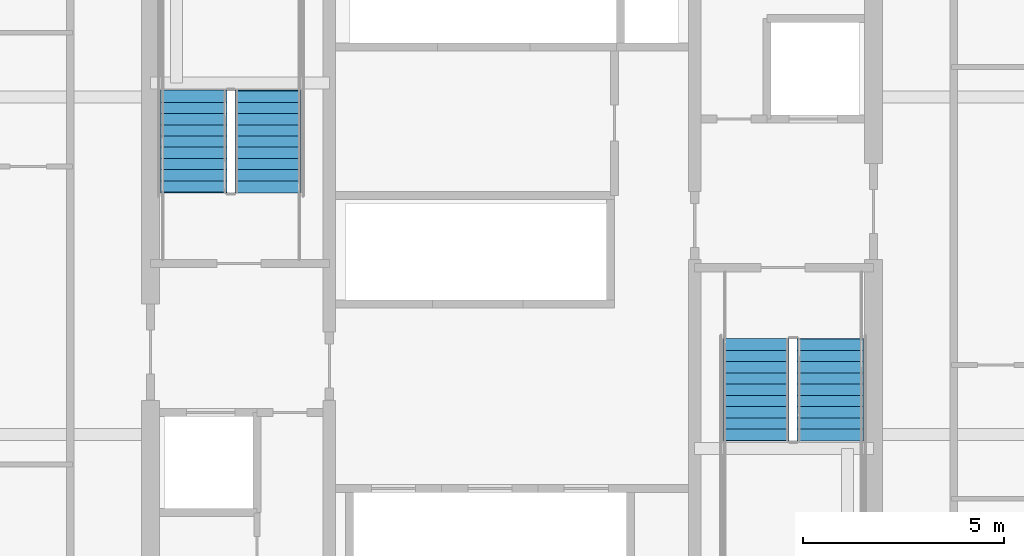
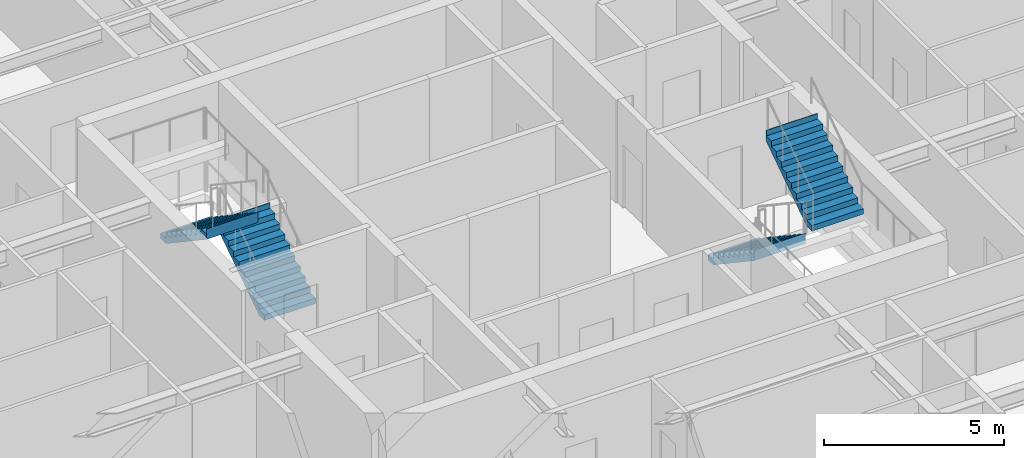
# One storey, part 32 of 38: 4 stair flights, 2 elements without a shape of their own.
"""IFC4 building model written with IfcOpenShell, lengths in metres."""

from ifc_helpers import new_model, si_unit, direction, frame, origin, place, context, subcontext, project, spatial, polygons, material, type_object, element, aggregate, save


model = new_model("IFC4")

# Units and contexts
model_context = context("Model", 3, precision=1e-05, world=origin(), true_north=direction((0.0, 1.0)))
body_context = subcontext(model_context, "Body", "Model", "MODEL_VIEW")
ifc_project = project(units=[si_unit("LENGTHUNIT", "METRE"), si_unit("AREAUNIT", "SQUARE_METRE"), si_unit("VOLUMEUNIT", "CUBIC_METRE"), si_unit("PLANEANGLEUNIT", "RADIAN"), si_unit("MASSUNIT", "GRAM", prefix="KILO")], contexts=[model_context])

# Site, building, storey
site_placement = place(None, origin())
site = spatial("IfcSite", under=ifc_project, at=site_placement, CompositionType="ELEMENT")
building_placement = place(site_placement, origin())
building = spatial("IfcBuilding", under=site, at=building_placement, Name="Serunith Strait Residences", CompositionType="ELEMENT")
storey_placement = place(building_placement, frame((0.0, 0.0, 30.449951171875)))
storey = spatial("IfcBuildingStorey", under=building, at=storey_placement, Name="L06", CompositionType="ELEMENT", Elevation=30.449951171875)

# Stair, stair flights
ifc_material = material(Name="Concrete C50/60", Category="concrete")
stair_type_1 = type_object("IfcStairType", Name="STR-CORE-1", PredefinedType="HALF_TURN_STAIR", material=ifc_material)
stair_1_placement = place(storey_placement, origin())
stair_1 = element("IfcStair", 1, at=stair_1_placement, inside=storey, type_object=stair_type_1, Name="L06 Protected Escape Stair ST-1", PredefinedType="HALF_TURN_STAIR")
stair_flight_type_1 = type_object("IfcStairFlightType", Name="FLT-CORE-1", PredefinedType="STRAIGHT", material=ifc_material)
stair_flight_1_placement = place(storey_placement, frame((26.324951171875, 27.030029296875, 0.0), z_axis=(0.0, 0.0, 1.0), x_axis=(0.0, 1.0, 0.0)))
stair_flight_1 = element("IfcStairFlight", 2, at=stair_flight_1_placement, type_object=stair_flight_type_1, Name="ST-1 flight 1", NumberOfRisers=10, NumberOfTreads=9, PredefinedType="STRAIGHT", RiserHeight=0.1875, TreadLength=0.28, context=body_context, shape_type="Tessellation", body=[
    polygons([(-0.02001953125, -0.824951171875, 0.0), (-0.02001953125, -0.824951171875, 0.1875), (0.280029296875, -0.824951171875, 0.1875), (0.280029296875, -0.824951171875, 0.375), (0.56005859375, -0.824951171875, 0.375), (0.56005859375, -0.824951171875, 0.5625), (0.840087890625, -0.824951171875, 0.5625), (0.840087890625, -0.824951171875, 0.75), (1.1201171875, -0.824951171875, 0.75), (1.1201171875, -0.824951171875, 0.9375), (1.39990234375, -0.824951171875, 0.9375), (1.39990234375, -0.824951171875, 1.125), (1.679931640625, -0.824951171875, 1.125), (1.679931640625, -0.824951171875, 1.3125), (1.9599609375, -0.824951171875, 1.3125), (1.9599609375, -0.824951171875, 1.5), (2.239990234375, -0.824951171875, 1.5), (2.239990234375, -0.824951171875, 1.6875), (2.52001953125, -0.824951171875, 1.6875), (2.52001953125, -0.824951171875, 1.875), (2.5400390625, -0.824951171875, 1.875), (2.5400390625, -0.824951171875, 1.81494140625), (2.52001953125, -0.824951171875, 1.507080078125), (0.26953125, -0.824951171875, 0.0), (-0.02001953125, -0.41259765625, 0.0), (-0.02001953125, -0.41259765625, 0.1875), (0.280029296875, -0.41259765625, 0.1875), (0.280029296875, -0.41259765625, 0.375), (0.56005859375, -0.41259765625, 0.375), (0.56005859375, -0.41259765625, 0.5625), (0.840087890625, -0.41259765625, 0.5625), (0.840087890625, -0.41259765625, 0.75), (1.1201171875, -0.41259765625, 0.75), (1.1201171875, -0.41259765625, 0.9375), (1.39990234375, -0.41259765625, 0.9375), (1.39990234375, -0.41259765625, 1.125), (1.679931640625, -0.41259765625, 1.125), (1.679931640625, -0.41259765625, 1.3125), (1.9599609375, -0.41259765625, 1.3125), (1.9599609375, -0.41259765625, 1.5), (2.239990234375, -0.41259765625, 1.5), (2.239990234375, -0.41259765625, 1.6875), (2.52001953125, -0.41259765625, 1.6875), (2.52001953125, -0.41259765625, 1.875), (2.5400390625, -0.41259765625, 1.875), (2.5400390625, -0.41259765625, 1.81494140625), (2.52001953125, -0.41259765625, 1.507080078125), (0.26953125, -0.41259765625, 0.0), (-0.02001953125, 0.0, 0.0), (-0.02001953125, 0.0, 0.1875), (0.280029296875, 0.0, 0.1875), (0.280029296875, 0.0, 0.375), (0.56005859375, 0.0, 0.375), (0.56005859375, 0.0, 0.5625), (0.840087890625, 0.0, 0.5625), (0.840087890625, 0.0, 0.75), (1.1201171875, 0.0, 0.75), (1.1201171875, 0.0, 0.9375), (1.39990234375, 0.0, 0.9375), (1.39990234375, 0.0, 1.125), (1.679931640625, 0.0, 1.125), (1.679931640625, 0.0, 1.3125), (1.9599609375, 0.0, 1.3125), (1.9599609375, 0.0, 1.5), (2.239990234375, 0.0, 1.5), (2.239990234375, 0.0, 1.6875), (2.52001953125, 0.0, 1.6875), (2.52001953125, 0.0, 1.875), (2.5400390625, 0.0, 1.875), (2.5400390625, 0.0, 1.81494140625), (2.52001953125, 0.0, 1.507080078125), (0.26953125, 0.0, 0.0), (-0.02001953125, 0.41259765625, 0.0), (-0.02001953125, 0.41259765625, 0.1875), (0.280029296875, 0.41259765625, 0.1875), (0.280029296875, 0.41259765625, 0.375), (0.56005859375, 0.41259765625, 0.375), (0.56005859375, 0.41259765625, 0.5625), (0.840087890625, 0.41259765625, 0.5625), (0.840087890625, 0.41259765625, 0.75), (1.1201171875, 0.41259765625, 0.75), (1.1201171875, 0.41259765625, 0.9375), (1.39990234375, 0.41259765625, 0.9375), (1.39990234375, 0.41259765625, 1.125), (1.679931640625, 0.41259765625, 1.125), (1.679931640625, 0.41259765625, 1.3125), (1.9599609375, 0.41259765625, 1.3125), (1.9599609375, 0.41259765625, 1.5), (2.239990234375, 0.41259765625, 1.5), (2.239990234375, 0.41259765625, 1.6875), (2.52001953125, 0.41259765625, 1.6875), (2.52001953125, 0.41259765625, 1.875), (2.5400390625, 0.41259765625, 1.875), (2.5400390625, 0.41259765625, 1.81494140625), (2.52001953125, 0.41259765625, 1.507080078125), (0.26953125, 0.41259765625, 0.0), (-0.02001953125, 0.824951171875, 0.0), (-0.02001953125, 0.824951171875, 0.1875), (0.280029296875, 0.824951171875, 0.1875), (0.280029296875, 0.824951171875, 0.375), (0.56005859375, 0.824951171875, 0.375), (0.56005859375, 0.824951171875, 0.5625), (0.840087890625, 0.824951171875, 0.5625), (0.840087890625, 0.824951171875, 0.75), (1.1201171875, 0.824951171875, 0.75), (1.1201171875, 0.824951171875, 0.9375), (1.39990234375, 0.824951171875, 0.9375), (1.39990234375, 0.824951171875, 1.125), (1.679931640625, 0.824951171875, 1.125), (1.679931640625, 0.824951171875, 1.3125), (1.9599609375, 0.824951171875, 1.3125), (1.9599609375, 0.824951171875, 1.5), (2.239990234375, 0.824951171875, 1.5), (2.239990234375, 0.824951171875, 1.6875), (2.52001953125, 0.824951171875, 1.6875), (2.52001953125, 0.824951171875, 1.875), (2.5400390625, 0.824951171875, 1.875), (2.5400390625, 0.824951171875, 1.81494140625), (2.52001953125, 0.824951171875, 1.507080078125), (0.26953125, 0.824951171875, 0.0)], [[[1, 2, 26, 25]], [[2, 3, 27, 26]], [[3, 4, 28, 27]], [[4, 5, 29, 28]], [[5, 6, 30, 29]], [[6, 7, 31, 30]], [[7, 8, 32, 31]], [[8, 9, 33, 32]], [[9, 10, 34, 33]], [[10, 11, 35, 34]], [[11, 12, 36, 35]], [[12, 13, 37, 36]], [[13, 14, 38, 37]], [[14, 15, 39, 38]], [[15, 16, 40, 39]], [[16, 17, 41, 40]], [[17, 18, 42, 41]], [[18, 19, 43, 42]], [[19, 20, 44, 43]], [[20, 21, 45, 44]], [[21, 22, 46, 45]], [[22, 23, 47, 46]], [[23, 24, 48, 47]], [[24, 1, 25, 48]], [[25, 26, 50, 49]], [[26, 27, 51, 50]], [[27, 28, 52, 51]], [[28, 29, 53, 52]], [[29, 30, 54, 53]], [[30, 31, 55, 54]], [[31, 32, 56, 55]], [[32, 33, 57, 56]], [[33, 34, 58, 57]], [[34, 35, 59, 58]], [[35, 36, 60, 59]], [[36, 37, 61, 60]], [[37, 38, 62, 61]], [[38, 39, 63, 62]], [[39, 40, 64, 63]], [[40, 41, 65, 64]], [[41, 42, 66, 65]], [[42, 43, 67, 66]], [[43, 44, 68, 67]], [[44, 45, 69, 68]], [[45, 46, 70, 69]], [[46, 47, 71, 70]], [[47, 48, 72, 71]], [[48, 25, 49, 72]], [[49, 50, 74, 73]], [[50, 51, 75, 74]], [[51, 52, 76, 75]], [[52, 53, 77, 76]], [[53, 54, 78, 77]], [[54, 55, 79, 78]], [[55, 56, 80, 79]], [[56, 57, 81, 80]], [[57, 58, 82, 81]], [[58, 59, 83, 82]], [[59, 60, 84, 83]], [[60, 61, 85, 84]], [[61, 62, 86, 85]], [[62, 63, 87, 86]], [[63, 64, 88, 87]], [[64, 65, 89, 88]], [[65, 66, 90, 89]], [[66, 67, 91, 90]], [[67, 68, 92, 91]], [[68, 69, 93, 92]], [[69, 70, 94, 93]], [[70, 71, 95, 94]], [[71, 72, 96, 95]], [[72, 49, 73, 96]], [[73, 74, 98, 97]], [[74, 75, 99, 98]], [[75, 76, 100, 99]], [[76, 77, 101, 100]], [[77, 78, 102, 101]], [[78, 79, 103, 102]], [[79, 80, 104, 103]], [[80, 81, 105, 104]], [[81, 82, 106, 105]], [[82, 83, 107, 106]], [[83, 84, 108, 107]], [[84, 85, 109, 108]], [[85, 86, 110, 109]], [[86, 87, 111, 110]], [[87, 88, 112, 111]], [[88, 89, 113, 112]], [[89, 90, 114, 113]], [[90, 91, 115, 114]], [[91, 92, 116, 115]], [[92, 93, 117, 116]], [[93, 94, 118, 117]], [[94, 95, 119, 118]], [[95, 96, 120, 119]], [[96, 73, 97, 120]], [[24, 23, 22, 21, 20, 19, 18, 17, 16, 15, 14, 13, 12, 11, 10, 9, 8, 7, 6, 5, 4, 3, 2, 1]], [[97, 98, 99, 100, 101, 102, 103, 104, 105, 106, 107, 108, 109, 110, 111, 112, 113, 114, 115, 116, 117, 118, 119, 120]]], closed=True),
])
stair_flight_2_placement = place(storey_placement, frame((24.47509765625, 29.550048828125, 1.875), z_axis=(0.0, 0.0, 1.0), x_axis=(0.0, -1.0, 0.0)))
stair_flight_2 = element("IfcStairFlight", 3, at=stair_flight_2_placement, type_object=stair_flight_type_1, Name="ST-1 flight 2", NumberOfRisers=10, NumberOfTreads=9, PredefinedType="STRAIGHT", RiserHeight=0.1875, TreadLength=0.28, context=body_context, shape_type="Tessellation", body=[
    polygons([(-0.02001953125, -0.824951171875, 0.0), (-0.02001953125, -0.824951171875, 0.1875), (0.280029296875, -0.824951171875, 0.1875), (0.280029296875, -0.824951171875, 0.375), (0.56005859375, -0.824951171875, 0.375), (0.56005859375, -0.824951171875, 0.5625), (0.840087890625, -0.824951171875, 0.5625), (0.840087890625, -0.824951171875, 0.75), (1.1201171875, -0.824951171875, 0.75), (1.1201171875, -0.824951171875, 0.9375), (1.39990234375, -0.824951171875, 0.9375), (1.39990234375, -0.824951171875, 1.125), (1.679931640625, -0.824951171875, 1.125), (1.679931640625, -0.824951171875, 1.3125), (1.9599609375, -0.824951171875, 1.3125), (1.9599609375, -0.824951171875, 1.5), (2.239990234375, -0.824951171875, 1.5), (2.239990234375, -0.824951171875, 1.6875), (2.52001953125, -0.824951171875, 1.6875), (2.52001953125, -0.824951171875, 1.875), (2.5400390625, -0.824951171875, 1.875), (2.5400390625, -0.824951171875, 1.81494140625), (2.52001953125, -0.824951171875, 1.507080078125), (0.26953125, -0.824951171875, 0.0), (-0.02001953125, -0.41259765625, 0.0), (-0.02001953125, -0.41259765625, 0.1875), (0.280029296875, -0.41259765625, 0.1875), (0.280029296875, -0.41259765625, 0.375), (0.56005859375, -0.41259765625, 0.375), (0.56005859375, -0.41259765625, 0.5625), (0.840087890625, -0.41259765625, 0.5625), (0.840087890625, -0.41259765625, 0.75), (1.1201171875, -0.41259765625, 0.75), (1.1201171875, -0.41259765625, 0.9375), (1.39990234375, -0.41259765625, 0.9375), (1.39990234375, -0.41259765625, 1.125), (1.679931640625, -0.41259765625, 1.125), (1.679931640625, -0.41259765625, 1.3125), (1.9599609375, -0.41259765625, 1.3125), (1.9599609375, -0.41259765625, 1.5), (2.239990234375, -0.41259765625, 1.5), (2.239990234375, -0.41259765625, 1.6875), (2.52001953125, -0.41259765625, 1.6875), (2.52001953125, -0.41259765625, 1.875), (2.5400390625, -0.41259765625, 1.875), (2.5400390625, -0.41259765625, 1.81494140625), (2.52001953125, -0.41259765625, 1.507080078125), (0.26953125, -0.41259765625, 0.0), (-0.02001953125, 0.0, 0.0), (-0.02001953125, 0.0, 0.1875), (0.280029296875, 0.0, 0.1875), (0.280029296875, 0.0, 0.375), (0.56005859375, 0.0, 0.375), (0.56005859375, 0.0, 0.5625), (0.840087890625, 0.0, 0.5625), (0.840087890625, 0.0, 0.75), (1.1201171875, 0.0, 0.75), (1.1201171875, 0.0, 0.9375), (1.39990234375, 0.0, 0.9375), (1.39990234375, 0.0, 1.125), (1.679931640625, 0.0, 1.125), (1.679931640625, 0.0, 1.3125), (1.9599609375, 0.0, 1.3125), (1.9599609375, 0.0, 1.5), (2.239990234375, 0.0, 1.5), (2.239990234375, 0.0, 1.6875), (2.52001953125, 0.0, 1.6875), (2.52001953125, 0.0, 1.875), (2.5400390625, 0.0, 1.875), (2.5400390625, 0.0, 1.81494140625), (2.52001953125, 0.0, 1.507080078125), (0.26953125, 0.0, 0.0), (-0.02001953125, 0.41259765625, 0.0), (-0.02001953125, 0.41259765625, 0.1875), (0.280029296875, 0.41259765625, 0.1875), (0.280029296875, 0.41259765625, 0.375), (0.56005859375, 0.41259765625, 0.375), (0.56005859375, 0.41259765625, 0.5625), (0.840087890625, 0.41259765625, 0.5625), (0.840087890625, 0.41259765625, 0.75), (1.1201171875, 0.41259765625, 0.75), (1.1201171875, 0.41259765625, 0.9375), (1.39990234375, 0.41259765625, 0.9375), (1.39990234375, 0.41259765625, 1.125), (1.679931640625, 0.41259765625, 1.125), (1.679931640625, 0.41259765625, 1.3125), (1.9599609375, 0.41259765625, 1.3125), (1.9599609375, 0.41259765625, 1.5), (2.239990234375, 0.41259765625, 1.5), (2.239990234375, 0.41259765625, 1.6875), (2.52001953125, 0.41259765625, 1.6875), (2.52001953125, 0.41259765625, 1.875), (2.5400390625, 0.41259765625, 1.875), (2.5400390625, 0.41259765625, 1.81494140625), (2.52001953125, 0.41259765625, 1.507080078125), (0.26953125, 0.41259765625, 0.0), (-0.02001953125, 0.824951171875, 0.0), (-0.02001953125, 0.824951171875, 0.1875), (0.280029296875, 0.824951171875, 0.1875), (0.280029296875, 0.824951171875, 0.375), (0.56005859375, 0.824951171875, 0.375), (0.56005859375, 0.824951171875, 0.5625), (0.840087890625, 0.824951171875, 0.5625), (0.840087890625, 0.824951171875, 0.75), (1.1201171875, 0.824951171875, 0.75), (1.1201171875, 0.824951171875, 0.9375), (1.39990234375, 0.824951171875, 0.9375), (1.39990234375, 0.824951171875, 1.125), (1.679931640625, 0.824951171875, 1.125), (1.679931640625, 0.824951171875, 1.3125), (1.9599609375, 0.824951171875, 1.3125), (1.9599609375, 0.824951171875, 1.5), (2.239990234375, 0.824951171875, 1.5), (2.239990234375, 0.824951171875, 1.6875), (2.52001953125, 0.824951171875, 1.6875), (2.52001953125, 0.824951171875, 1.875), (2.5400390625, 0.824951171875, 1.875), (2.5400390625, 0.824951171875, 1.81494140625), (2.52001953125, 0.824951171875, 1.507080078125), (0.26953125, 0.824951171875, 0.0)], [[[1, 2, 26, 25]], [[2, 3, 27, 26]], [[3, 4, 28, 27]], [[4, 5, 29, 28]], [[5, 6, 30, 29]], [[6, 7, 31, 30]], [[7, 8, 32, 31]], [[8, 9, 33, 32]], [[9, 10, 34, 33]], [[10, 11, 35, 34]], [[11, 12, 36, 35]], [[12, 13, 37, 36]], [[13, 14, 38, 37]], [[14, 15, 39, 38]], [[15, 16, 40, 39]], [[16, 17, 41, 40]], [[17, 18, 42, 41]], [[18, 19, 43, 42]], [[19, 20, 44, 43]], [[20, 21, 45, 44]], [[21, 22, 46, 45]], [[22, 23, 47, 46]], [[23, 24, 48, 47]], [[24, 1, 25, 48]], [[25, 26, 50, 49]], [[26, 27, 51, 50]], [[27, 28, 52, 51]], [[28, 29, 53, 52]], [[29, 30, 54, 53]], [[30, 31, 55, 54]], [[31, 32, 56, 55]], [[32, 33, 57, 56]], [[33, 34, 58, 57]], [[34, 35, 59, 58]], [[35, 36, 60, 59]], [[36, 37, 61, 60]], [[37, 38, 62, 61]], [[38, 39, 63, 62]], [[39, 40, 64, 63]], [[40, 41, 65, 64]], [[41, 42, 66, 65]], [[42, 43, 67, 66]], [[43, 44, 68, 67]], [[44, 45, 69, 68]], [[45, 46, 70, 69]], [[46, 47, 71, 70]], [[47, 48, 72, 71]], [[48, 25, 49, 72]], [[49, 50, 74, 73]], [[50, 51, 75, 74]], [[51, 52, 76, 75]], [[52, 53, 77, 76]], [[53, 54, 78, 77]], [[54, 55, 79, 78]], [[55, 56, 80, 79]], [[56, 57, 81, 80]], [[57, 58, 82, 81]], [[58, 59, 83, 82]], [[59, 60, 84, 83]], [[60, 61, 85, 84]], [[61, 62, 86, 85]], [[62, 63, 87, 86]], [[63, 64, 88, 87]], [[64, 65, 89, 88]], [[65, 66, 90, 89]], [[66, 67, 91, 90]], [[67, 68, 92, 91]], [[68, 69, 93, 92]], [[69, 70, 94, 93]], [[70, 71, 95, 94]], [[71, 72, 96, 95]], [[72, 49, 73, 96]], [[73, 74, 98, 97]], [[74, 75, 99, 98]], [[75, 76, 100, 99]], [[76, 77, 101, 100]], [[77, 78, 102, 101]], [[78, 79, 103, 102]], [[79, 80, 104, 103]], [[80, 81, 105, 104]], [[81, 82, 106, 105]], [[82, 83, 107, 106]], [[83, 84, 108, 107]], [[84, 85, 109, 108]], [[85, 86, 110, 109]], [[86, 87, 111, 110]], [[87, 88, 112, 111]], [[88, 89, 113, 112]], [[89, 90, 114, 113]], [[90, 91, 115, 114]], [[91, 92, 116, 115]], [[92, 93, 117, 116]], [[93, 94, 118, 117]], [[94, 95, 119, 118]], [[95, 96, 120, 119]], [[96, 73, 97, 120]], [[24, 23, 22, 21, 20, 19, 18, 17, 16, 15, 14, 13, 12, 11, 10, 9, 8, 7, 6, 5, 4, 3, 2, 1]], [[97, 98, 99, 100, 101, 102, 103, 104, 105, 106, 107, 108, 109, 110, 111, 112, 113, 114, 115, 116, 117, 118, 119, 120]]], closed=True),
])
aggregate(stair_1, [stair_flight_1, stair_flight_2])

stair_type_2 = type_object("IfcStairType", Name="STR-CORE-2", PredefinedType="HALF_TURN_STAIR", material=ifc_material)
stair_2_placement = place(storey_placement, origin())
stair_2 = element("IfcStair", 4, at=stair_2_placement, inside=storey, type_object=stair_type_2, Name="L06 Protected Escape Stair ST-2", PredefinedType="HALF_TURN_STAIR")
stair_flight_type_2 = type_object("IfcStairFlightType", Name="FLT-CORE-2", PredefinedType="STRAIGHT", material=ifc_material)
stair_flight_3_placement = place(storey_placement, frame((38.47509765625, 23.3701171875, 0.0), z_axis=(0.0, 0.0, 1.0), x_axis=(0.0, -1.0, 0.0)))
stair_flight_3 = element("IfcStairFlight", 5, at=stair_flight_3_placement, type_object=stair_flight_type_2, Name="ST-2 flight 1", NumberOfRisers=10, NumberOfTreads=9, PredefinedType="STRAIGHT", RiserHeight=0.1875, TreadLength=0.28, context=body_context, shape_type="Tessellation", body=[
    polygons([(-0.02001953125, -0.824951171875, 0.0), (-0.02001953125, -0.824951171875, 0.1875), (0.280029296875, -0.824951171875, 0.1875), (0.280029296875, -0.824951171875, 0.375), (0.56005859375, -0.824951171875, 0.375), (0.56005859375, -0.824951171875, 0.5625), (0.840087890625, -0.824951171875, 0.5625), (0.840087890625, -0.824951171875, 0.75), (1.1201171875, -0.824951171875, 0.75), (1.1201171875, -0.824951171875, 0.9375), (1.39990234375, -0.824951171875, 0.9375), (1.39990234375, -0.824951171875, 1.125), (1.679931640625, -0.824951171875, 1.125), (1.679931640625, -0.824951171875, 1.3125), (1.9599609375, -0.824951171875, 1.3125), (1.9599609375, -0.824951171875, 1.5), (2.239990234375, -0.824951171875, 1.5), (2.239990234375, -0.824951171875, 1.6875), (2.52001953125, -0.824951171875, 1.6875), (2.52001953125, -0.824951171875, 1.875), (2.5400390625, -0.824951171875, 1.875), (2.5400390625, -0.824951171875, 1.81494140625), (2.52001953125, -0.824951171875, 1.507080078125), (0.26953125, -0.824951171875, 0.0), (-0.02001953125, -0.41259765625, 0.0), (-0.02001953125, -0.41259765625, 0.1875), (0.280029296875, -0.41259765625, 0.1875), (0.280029296875, -0.41259765625, 0.375), (0.56005859375, -0.41259765625, 0.375), (0.56005859375, -0.41259765625, 0.5625), (0.840087890625, -0.41259765625, 0.5625), (0.840087890625, -0.41259765625, 0.75), (1.1201171875, -0.41259765625, 0.75), (1.1201171875, -0.41259765625, 0.9375), (1.39990234375, -0.41259765625, 0.9375), (1.39990234375, -0.41259765625, 1.125), (1.679931640625, -0.41259765625, 1.125), (1.679931640625, -0.41259765625, 1.3125), (1.9599609375, -0.41259765625, 1.3125), (1.9599609375, -0.41259765625, 1.5), (2.239990234375, -0.41259765625, 1.5), (2.239990234375, -0.41259765625, 1.6875), (2.52001953125, -0.41259765625, 1.6875), (2.52001953125, -0.41259765625, 1.875), (2.5400390625, -0.41259765625, 1.875), (2.5400390625, -0.41259765625, 1.81494140625), (2.52001953125, -0.41259765625, 1.507080078125), (0.26953125, -0.41259765625, 0.0), (-0.02001953125, 0.0, 0.0), (-0.02001953125, 0.0, 0.1875), (0.280029296875, 0.0, 0.1875), (0.280029296875, 0.0, 0.375), (0.56005859375, 0.0, 0.375), (0.56005859375, 0.0, 0.5625), (0.840087890625, 0.0, 0.5625), (0.840087890625, 0.0, 0.75), (1.1201171875, 0.0, 0.75), (1.1201171875, 0.0, 0.9375), (1.39990234375, 0.0, 0.9375), (1.39990234375, 0.0, 1.125), (1.679931640625, 0.0, 1.125), (1.679931640625, 0.0, 1.3125), (1.9599609375, 0.0, 1.3125), (1.9599609375, 0.0, 1.5), (2.239990234375, 0.0, 1.5), (2.239990234375, 0.0, 1.6875), (2.52001953125, 0.0, 1.6875), (2.52001953125, 0.0, 1.875), (2.5400390625, 0.0, 1.875), (2.5400390625, 0.0, 1.81494140625), (2.52001953125, 0.0, 1.507080078125), (0.26953125, 0.0, 0.0), (-0.02001953125, 0.41259765625, 0.0), (-0.02001953125, 0.41259765625, 0.1875), (0.280029296875, 0.41259765625, 0.1875), (0.280029296875, 0.41259765625, 0.375), (0.56005859375, 0.41259765625, 0.375), (0.56005859375, 0.41259765625, 0.5625), (0.840087890625, 0.41259765625, 0.5625), (0.840087890625, 0.41259765625, 0.75), (1.1201171875, 0.41259765625, 0.75), (1.1201171875, 0.41259765625, 0.9375), (1.39990234375, 0.41259765625, 0.9375), (1.39990234375, 0.41259765625, 1.125), (1.679931640625, 0.41259765625, 1.125), (1.679931640625, 0.41259765625, 1.3125), (1.9599609375, 0.41259765625, 1.3125), (1.9599609375, 0.41259765625, 1.5), (2.239990234375, 0.41259765625, 1.5), (2.239990234375, 0.41259765625, 1.6875), (2.52001953125, 0.41259765625, 1.6875), (2.52001953125, 0.41259765625, 1.875), (2.5400390625, 0.41259765625, 1.875), (2.5400390625, 0.41259765625, 1.81494140625), (2.52001953125, 0.41259765625, 1.507080078125), (0.26953125, 0.41259765625, 0.0), (-0.02001953125, 0.824951171875, 0.0), (-0.02001953125, 0.824951171875, 0.1875), (0.280029296875, 0.824951171875, 0.1875), (0.280029296875, 0.824951171875, 0.375), (0.56005859375, 0.824951171875, 0.375), (0.56005859375, 0.824951171875, 0.5625), (0.840087890625, 0.824951171875, 0.5625), (0.840087890625, 0.824951171875, 0.75), (1.1201171875, 0.824951171875, 0.75), (1.1201171875, 0.824951171875, 0.9375), (1.39990234375, 0.824951171875, 0.9375), (1.39990234375, 0.824951171875, 1.125), (1.679931640625, 0.824951171875, 1.125), (1.679931640625, 0.824951171875, 1.3125), (1.9599609375, 0.824951171875, 1.3125), (1.9599609375, 0.824951171875, 1.5), (2.239990234375, 0.824951171875, 1.5), (2.239990234375, 0.824951171875, 1.6875), (2.52001953125, 0.824951171875, 1.6875), (2.52001953125, 0.824951171875, 1.875), (2.5400390625, 0.824951171875, 1.875), (2.5400390625, 0.824951171875, 1.81494140625), (2.52001953125, 0.824951171875, 1.507080078125), (0.26953125, 0.824951171875, 0.0)], [[[1, 2, 26, 25]], [[2, 3, 27, 26]], [[3, 4, 28, 27]], [[4, 5, 29, 28]], [[5, 6, 30, 29]], [[6, 7, 31, 30]], [[7, 8, 32, 31]], [[8, 9, 33, 32]], [[9, 10, 34, 33]], [[10, 11, 35, 34]], [[11, 12, 36, 35]], [[12, 13, 37, 36]], [[13, 14, 38, 37]], [[14, 15, 39, 38]], [[15, 16, 40, 39]], [[16, 17, 41, 40]], [[17, 18, 42, 41]], [[18, 19, 43, 42]], [[19, 20, 44, 43]], [[20, 21, 45, 44]], [[21, 22, 46, 45]], [[22, 23, 47, 46]], [[23, 24, 48, 47]], [[24, 1, 25, 48]], [[25, 26, 50, 49]], [[26, 27, 51, 50]], [[27, 28, 52, 51]], [[28, 29, 53, 52]], [[29, 30, 54, 53]], [[30, 31, 55, 54]], [[31, 32, 56, 55]], [[32, 33, 57, 56]], [[33, 34, 58, 57]], [[34, 35, 59, 58]], [[35, 36, 60, 59]], [[36, 37, 61, 60]], [[37, 38, 62, 61]], [[38, 39, 63, 62]], [[39, 40, 64, 63]], [[40, 41, 65, 64]], [[41, 42, 66, 65]], [[42, 43, 67, 66]], [[43, 44, 68, 67]], [[44, 45, 69, 68]], [[45, 46, 70, 69]], [[46, 47, 71, 70]], [[47, 48, 72, 71]], [[48, 25, 49, 72]], [[49, 50, 74, 73]], [[50, 51, 75, 74]], [[51, 52, 76, 75]], [[52, 53, 77, 76]], [[53, 54, 78, 77]], [[54, 55, 79, 78]], [[55, 56, 80, 79]], [[56, 57, 81, 80]], [[57, 58, 82, 81]], [[58, 59, 83, 82]], [[59, 60, 84, 83]], [[60, 61, 85, 84]], [[61, 62, 86, 85]], [[62, 63, 87, 86]], [[63, 64, 88, 87]], [[64, 65, 89, 88]], [[65, 66, 90, 89]], [[66, 67, 91, 90]], [[67, 68, 92, 91]], [[68, 69, 93, 92]], [[69, 70, 94, 93]], [[70, 71, 95, 94]], [[71, 72, 96, 95]], [[72, 49, 73, 96]], [[73, 74, 98, 97]], [[74, 75, 99, 98]], [[75, 76, 100, 99]], [[76, 77, 101, 100]], [[77, 78, 102, 101]], [[78, 79, 103, 102]], [[79, 80, 104, 103]], [[80, 81, 105, 104]], [[81, 82, 106, 105]], [[82, 83, 107, 106]], [[83, 84, 108, 107]], [[84, 85, 109, 108]], [[85, 86, 110, 109]], [[86, 87, 111, 110]], [[87, 88, 112, 111]], [[88, 89, 113, 112]], [[89, 90, 114, 113]], [[90, 91, 115, 114]], [[91, 92, 116, 115]], [[92, 93, 117, 116]], [[93, 94, 118, 117]], [[94, 95, 119, 118]], [[95, 96, 120, 119]], [[96, 73, 97, 120]], [[24, 23, 22, 21, 20, 19, 18, 17, 16, 15, 14, 13, 12, 11, 10, 9, 8, 7, 6, 5, 4, 3, 2, 1]], [[97, 98, 99, 100, 101, 102, 103, 104, 105, 106, 107, 108, 109, 110, 111, 112, 113, 114, 115, 116, 117, 118, 119, 120]]], closed=True),
])
stair_flight_4_placement = place(storey_placement, frame((40.324951171875, 20.85009765625, 1.875), z_axis=(0.0, 0.0, 1.0), x_axis=(0.0, 1.0, 0.0)))
stair_flight_4 = element("IfcStairFlight", 6, at=stair_flight_4_placement, type_object=stair_flight_type_2, Name="ST-2 flight 2", NumberOfRisers=10, NumberOfTreads=9, PredefinedType="STRAIGHT", RiserHeight=0.1875, TreadLength=0.28, context=body_context, shape_type="Tessellation", body=[
    polygons([(-0.02001953125, -0.824951171875, 0.0), (-0.02001953125, -0.824951171875, 0.1875), (0.280029296875, -0.824951171875, 0.1875), (0.280029296875, -0.824951171875, 0.375), (0.56005859375, -0.824951171875, 0.375), (0.56005859375, -0.824951171875, 0.5625), (0.840087890625, -0.824951171875, 0.5625), (0.840087890625, -0.824951171875, 0.75), (1.1201171875, -0.824951171875, 0.75), (1.1201171875, -0.824951171875, 0.9375), (1.39990234375, -0.824951171875, 0.9375), (1.39990234375, -0.824951171875, 1.125), (1.679931640625, -0.824951171875, 1.125), (1.679931640625, -0.824951171875, 1.3125), (1.9599609375, -0.824951171875, 1.3125), (1.9599609375, -0.824951171875, 1.5), (2.239990234375, -0.824951171875, 1.5), (2.239990234375, -0.824951171875, 1.6875), (2.52001953125, -0.824951171875, 1.6875), (2.52001953125, -0.824951171875, 1.875), (2.5400390625, -0.824951171875, 1.875), (2.5400390625, -0.824951171875, 1.81494140625), (2.52001953125, -0.824951171875, 1.507080078125), (0.26953125, -0.824951171875, 0.0), (-0.02001953125, -0.41259765625, 0.0), (-0.02001953125, -0.41259765625, 0.1875), (0.280029296875, -0.41259765625, 0.1875), (0.280029296875, -0.41259765625, 0.375), (0.56005859375, -0.41259765625, 0.375), (0.56005859375, -0.41259765625, 0.5625), (0.840087890625, -0.41259765625, 0.5625), (0.840087890625, -0.41259765625, 0.75), (1.1201171875, -0.41259765625, 0.75), (1.1201171875, -0.41259765625, 0.9375), (1.39990234375, -0.41259765625, 0.9375), (1.39990234375, -0.41259765625, 1.125), (1.679931640625, -0.41259765625, 1.125), (1.679931640625, -0.41259765625, 1.3125), (1.9599609375, -0.41259765625, 1.3125), (1.9599609375, -0.41259765625, 1.5), (2.239990234375, -0.41259765625, 1.5), (2.239990234375, -0.41259765625, 1.6875), (2.52001953125, -0.41259765625, 1.6875), (2.52001953125, -0.41259765625, 1.875), (2.5400390625, -0.41259765625, 1.875), (2.5400390625, -0.41259765625, 1.81494140625), (2.52001953125, -0.41259765625, 1.507080078125), (0.26953125, -0.41259765625, 0.0), (-0.02001953125, 0.0, 0.0), (-0.02001953125, 0.0, 0.1875), (0.280029296875, 0.0, 0.1875), (0.280029296875, 0.0, 0.375), (0.56005859375, 0.0, 0.375), (0.56005859375, 0.0, 0.5625), (0.840087890625, 0.0, 0.5625), (0.840087890625, 0.0, 0.75), (1.1201171875, 0.0, 0.75), (1.1201171875, 0.0, 0.9375), (1.39990234375, 0.0, 0.9375), (1.39990234375, 0.0, 1.125), (1.679931640625, 0.0, 1.125), (1.679931640625, 0.0, 1.3125), (1.9599609375, 0.0, 1.3125), (1.9599609375, 0.0, 1.5), (2.239990234375, 0.0, 1.5), (2.239990234375, 0.0, 1.6875), (2.52001953125, 0.0, 1.6875), (2.52001953125, 0.0, 1.875), (2.5400390625, 0.0, 1.875), (2.5400390625, 0.0, 1.81494140625), (2.52001953125, 0.0, 1.507080078125), (0.26953125, 0.0, 0.0), (-0.02001953125, 0.41259765625, 0.0), (-0.02001953125, 0.41259765625, 0.1875), (0.280029296875, 0.41259765625, 0.1875), (0.280029296875, 0.41259765625, 0.375), (0.56005859375, 0.41259765625, 0.375), (0.56005859375, 0.41259765625, 0.5625), (0.840087890625, 0.41259765625, 0.5625), (0.840087890625, 0.41259765625, 0.75), (1.1201171875, 0.41259765625, 0.75), (1.1201171875, 0.41259765625, 0.9375), (1.39990234375, 0.41259765625, 0.9375), (1.39990234375, 0.41259765625, 1.125), (1.679931640625, 0.41259765625, 1.125), (1.679931640625, 0.41259765625, 1.3125), (1.9599609375, 0.41259765625, 1.3125), (1.9599609375, 0.41259765625, 1.5), (2.239990234375, 0.41259765625, 1.5), (2.239990234375, 0.41259765625, 1.6875), (2.52001953125, 0.41259765625, 1.6875), (2.52001953125, 0.41259765625, 1.875), (2.5400390625, 0.41259765625, 1.875), (2.5400390625, 0.41259765625, 1.81494140625), (2.52001953125, 0.41259765625, 1.507080078125), (0.26953125, 0.41259765625, 0.0), (-0.02001953125, 0.824951171875, 0.0), (-0.02001953125, 0.824951171875, 0.1875), (0.280029296875, 0.824951171875, 0.1875), (0.280029296875, 0.824951171875, 0.375), (0.56005859375, 0.824951171875, 0.375), (0.56005859375, 0.824951171875, 0.5625), (0.840087890625, 0.824951171875, 0.5625), (0.840087890625, 0.824951171875, 0.75), (1.1201171875, 0.824951171875, 0.75), (1.1201171875, 0.824951171875, 0.9375), (1.39990234375, 0.824951171875, 0.9375), (1.39990234375, 0.824951171875, 1.125), (1.679931640625, 0.824951171875, 1.125), (1.679931640625, 0.824951171875, 1.3125), (1.9599609375, 0.824951171875, 1.3125), (1.9599609375, 0.824951171875, 1.5), (2.239990234375, 0.824951171875, 1.5), (2.239990234375, 0.824951171875, 1.6875), (2.52001953125, 0.824951171875, 1.6875), (2.52001953125, 0.824951171875, 1.875), (2.5400390625, 0.824951171875, 1.875), (2.5400390625, 0.824951171875, 1.81494140625), (2.52001953125, 0.824951171875, 1.507080078125), (0.26953125, 0.824951171875, 0.0)], [[[1, 2, 26, 25]], [[2, 3, 27, 26]], [[3, 4, 28, 27]], [[4, 5, 29, 28]], [[5, 6, 30, 29]], [[6, 7, 31, 30]], [[7, 8, 32, 31]], [[8, 9, 33, 32]], [[9, 10, 34, 33]], [[10, 11, 35, 34]], [[11, 12, 36, 35]], [[12, 13, 37, 36]], [[13, 14, 38, 37]], [[14, 15, 39, 38]], [[15, 16, 40, 39]], [[16, 17, 41, 40]], [[17, 18, 42, 41]], [[18, 19, 43, 42]], [[19, 20, 44, 43]], [[20, 21, 45, 44]], [[21, 22, 46, 45]], [[22, 23, 47, 46]], [[23, 24, 48, 47]], [[24, 1, 25, 48]], [[25, 26, 50, 49]], [[26, 27, 51, 50]], [[27, 28, 52, 51]], [[28, 29, 53, 52]], [[29, 30, 54, 53]], [[30, 31, 55, 54]], [[31, 32, 56, 55]], [[32, 33, 57, 56]], [[33, 34, 58, 57]], [[34, 35, 59, 58]], [[35, 36, 60, 59]], [[36, 37, 61, 60]], [[37, 38, 62, 61]], [[38, 39, 63, 62]], [[39, 40, 64, 63]], [[40, 41, 65, 64]], [[41, 42, 66, 65]], [[42, 43, 67, 66]], [[43, 44, 68, 67]], [[44, 45, 69, 68]], [[45, 46, 70, 69]], [[46, 47, 71, 70]], [[47, 48, 72, 71]], [[48, 25, 49, 72]], [[49, 50, 74, 73]], [[50, 51, 75, 74]], [[51, 52, 76, 75]], [[52, 53, 77, 76]], [[53, 54, 78, 77]], [[54, 55, 79, 78]], [[55, 56, 80, 79]], [[56, 57, 81, 80]], [[57, 58, 82, 81]], [[58, 59, 83, 82]], [[59, 60, 84, 83]], [[60, 61, 85, 84]], [[61, 62, 86, 85]], [[62, 63, 87, 86]], [[63, 64, 88, 87]], [[64, 65, 89, 88]], [[65, 66, 90, 89]], [[66, 67, 91, 90]], [[67, 68, 92, 91]], [[68, 69, 93, 92]], [[69, 70, 94, 93]], [[70, 71, 95, 94]], [[71, 72, 96, 95]], [[72, 49, 73, 96]], [[73, 74, 98, 97]], [[74, 75, 99, 98]], [[75, 76, 100, 99]], [[76, 77, 101, 100]], [[77, 78, 102, 101]], [[78, 79, 103, 102]], [[79, 80, 104, 103]], [[80, 81, 105, 104]], [[81, 82, 106, 105]], [[82, 83, 107, 106]], [[83, 84, 108, 107]], [[84, 85, 109, 108]], [[85, 86, 110, 109]], [[86, 87, 111, 110]], [[87, 88, 112, 111]], [[88, 89, 113, 112]], [[89, 90, 114, 113]], [[90, 91, 115, 114]], [[91, 92, 116, 115]], [[92, 93, 117, 116]], [[93, 94, 118, 117]], [[94, 95, 119, 118]], [[95, 96, 120, 119]], [[96, 73, 97, 120]], [[24, 23, 22, 21, 20, 19, 18, 17, 16, 15, 14, 13, 12, 11, 10, 9, 8, 7, 6, 5, 4, 3, 2, 1]], [[97, 98, 99, 100, 101, 102, 103, 104, 105, 106, 107, 108, 109, 110, 111, 112, 113, 114, 115, 116, 117, 118, 119, 120]]], closed=True),
])
aggregate(stair_2, [stair_flight_3, stair_flight_4])

save(model, "model.ifc")
